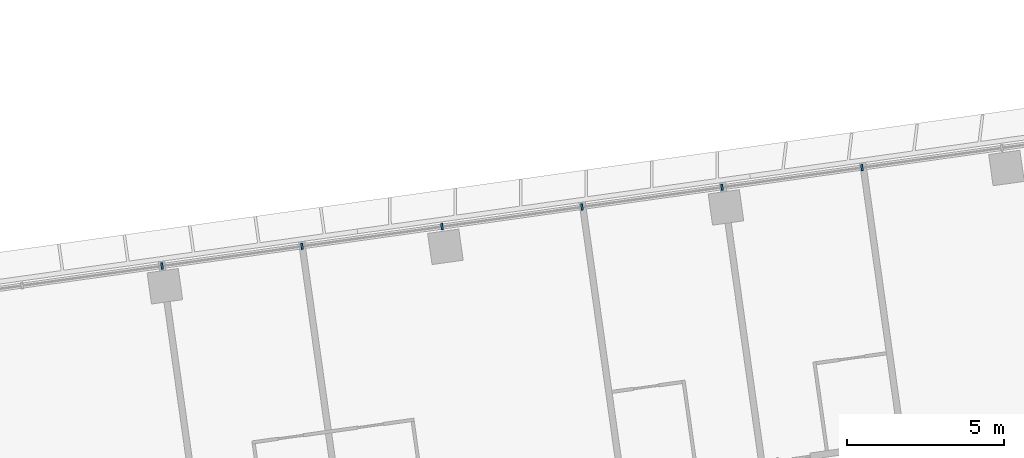
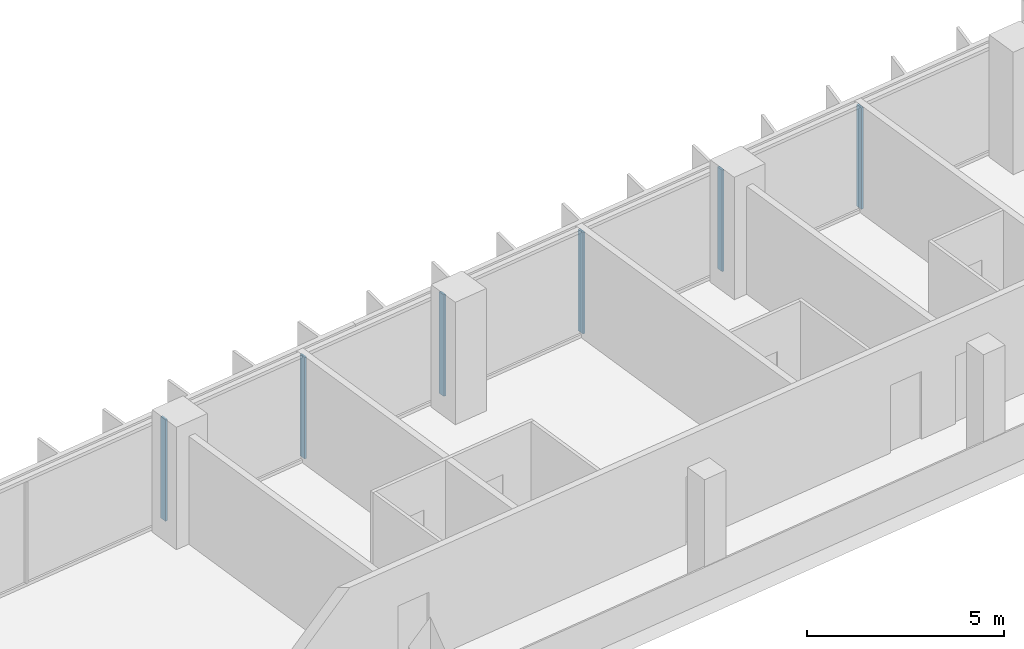
# One storey, part 10 of 24: 6 members, 1 element without a shape of its own.
"""IFC4 building model written with IfcOpenShell, lengths in metres."""

from ifc_helpers import new_model, si_unit, direction, frame, origin, origin_2d, place, context, subcontext, project, spatial, rectangle, extrude, material, material_profile, profile_set, type_object, element, aggregate, save


model = new_model("IFC4")

# Units and contexts
model_context = context("Model", 3, precision=1e-05, world=origin(), true_north=direction((0.0, 1.0)))
body_context = subcontext(model_context, "Body", "Model", "MODEL_VIEW")
ifc_project = project(units=[si_unit("LENGTHUNIT", "METRE"), si_unit("AREAUNIT", "SQUARE_METRE"), si_unit("VOLUMEUNIT", "CUBIC_METRE"), si_unit("PLANEANGLEUNIT", "RADIAN"), si_unit("MASSUNIT", "GRAM", prefix="KILO")], contexts=[model_context])

# Site, building, storey
site_placement = place(None, origin())
site = spatial("IfcSite", under=ifc_project, at=site_placement, CompositionType="ELEMENT")
building_placement = place(site_placement, origin())
building = spatial("IfcBuilding", under=site, at=building_placement, Name="Mirante Cascada Hotel Towers", CompositionType="ELEMENT")
storey_placement = place(building_placement, frame((0.0, 0.0, 77.5)))
storey = spatial("IfcBuildingStorey", under=building, at=storey_placement, Name="L16", CompositionType="ELEMENT", Elevation=77.5)

# Curtain wall, members
ifc_material_1 = material(Name="Aluminium mullion and transom frame with clear laminated glass", Category="aluminium")
curtain_wall_type = type_object("IfcCurtainWallType", Name="Ribbon curtain wall ECW1", PredefinedType="NOTDEFINED", material=ifc_material_1)
curtain_wall_placement = place(storey_placement, origin())
curtain_wall = element("IfcCurtainWall", 1, at=curtain_wall_placement, inside=storey, type_object=curtain_wall_type, Name="Front ribbon wall T2 L16", PredefinedType="NOTDEFINED")
ifc_material_2 = material(Name="Anodised aluminium extrusion", Category="aluminium")
ifc_material_profile = material_profile(ifc_material_2, rectangle(XDim=0.2, YDim=0.065, at=origin_2d()), Name="ECW1 MULLION 65x200")
ifc_profile_set = profile_set([ifc_material_profile], Name="Anodised aluminium extrusion")
member_type = type_object("IfcMemberType", Name="ECW1 mullion 65x200", PredefinedType="MULLION", material=ifc_profile_set)
member_1_placement = place(storey_placement, frame((85.2633, 24.802, 0.1), z_axis=(0.0, 0.0, 1.0), x_axis=(0.1391731, -0.9902681, 0.0)))
member_1 = element("IfcMember", 2, at=member_1_placement, type_object=member_type, Name="ECW1 mullion 3", PredefinedType="MULLION", context=body_context, shape_type="SweptSolid", body=[
    extrude(rectangle(XDim=0.2, YDim=0.065, at=origin_2d()), origin(), (0.0, 0.0, 1.0), 3.15),
])
member_2_placement = place(storey_placement, frame((80.8159, 24.177, 0.1), z_axis=(0.0, 0.0, 1.0), x_axis=(0.1391731, -0.9902681, 0.0)))
member_2 = element("IfcMember", 3, at=member_2_placement, type_object=member_type, Name="ECW1 mullion 4", PredefinedType="MULLION", context=body_context, shape_type="SweptSolid", body=[
    extrude(rectangle(XDim=0.2, YDim=0.065, at=origin_2d()), origin(), (0.0, 0.0, 1.0), 3.15),
])
member_3_placement = place(storey_placement, frame((76.3685, 23.5519, 0.1), z_axis=(0.0, 0.0, 1.0), x_axis=(0.1391731, -0.9902681, 0.0)))
member_3 = element("IfcMember", 4, at=member_3_placement, type_object=member_type, Name="ECW1 mullion 5", PredefinedType="MULLION", context=body_context, shape_type="SweptSolid", body=[
    extrude(rectangle(XDim=0.2, YDim=0.065, at=origin_2d()), origin(), (0.0, 0.0, 1.0), 3.15),
])
member_4_placement = place(storey_placement, frame((71.9211, 22.9269, 0.1), z_axis=(0.0, 0.0, 1.0), x_axis=(0.1391731, -0.9902681, 0.0)))
member_4 = element("IfcMember", 5, at=member_4_placement, type_object=member_type, Name="ECW1 mullion 6", PredefinedType="MULLION", context=body_context, shape_type="SweptSolid", body=[
    extrude(rectangle(XDim=0.2, YDim=0.065, at=origin_2d()), origin(), (0.0, 0.0, 1.0), 3.15),
])
member_5_placement = place(storey_placement, frame((67.4737, 22.3018, 0.1), z_axis=(0.0, 0.0, 1.0), x_axis=(0.1391731, -0.9902681, 0.0)))
member_5 = element("IfcMember", 6, at=member_5_placement, type_object=member_type, Name="ECW1 mullion 7", PredefinedType="MULLION", context=body_context, shape_type="SweptSolid", body=[
    extrude(rectangle(XDim=0.2, YDim=0.065, at=origin_2d()), origin(), (0.0, 0.0, 1.0), 3.15),
])
member_6_placement = place(storey_placement, frame((63.0262, 21.6768, 0.1), z_axis=(0.0, 0.0, 1.0), x_axis=(0.1391731, -0.9902681, 0.0)))
member_6 = element("IfcMember", 7, at=member_6_placement, type_object=member_type, Name="ECW1 mullion 8", PredefinedType="MULLION", context=body_context, shape_type="SweptSolid", body=[
    extrude(rectangle(XDim=0.2, YDim=0.065, at=origin_2d()), origin(), (0.0, 0.0, 1.0), 3.15),
])
aggregate(curtain_wall, [member_1, member_2, member_3, member_4, member_5, member_6])

save(model, "model.ifc")
